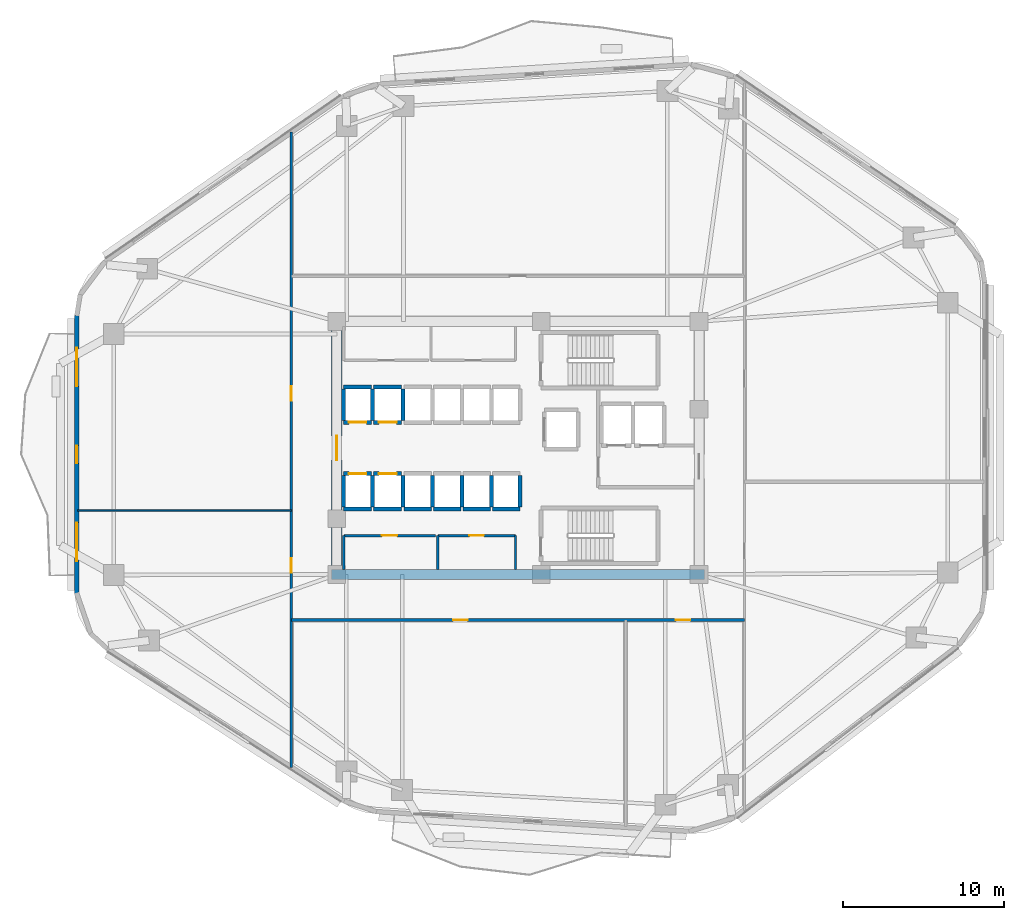
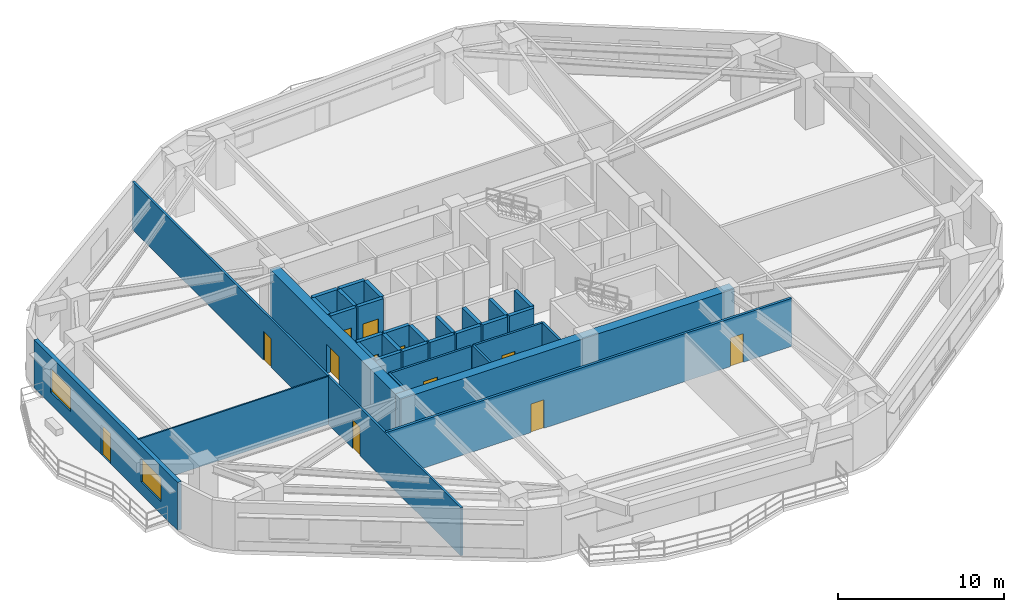
# One storey, part 3 of 9: 33 walls, 12 doors, 2 windows, 14 openings.
"""IFC4 building model written with IfcOpenShell, lengths in metres."""

from ifc_helpers import new_model, si_unit, direction, frame, frame_2d, origin, place, context, subcontext, project, spatial, rectangle, extrude, material, layer, layer_set, type_object, element, fill, save


model = new_model("IFC4")

# Units and contexts
model_context = context("Model", 3, precision=1e-05, world=origin(), true_north=direction((0.0, 1.0)))
body_context = subcontext(model_context, "Body", "Model", "MODEL_VIEW")
ifc_project = project(units=[si_unit("LENGTHUNIT", "METRE"), si_unit("AREAUNIT", "SQUARE_METRE"), si_unit("VOLUMEUNIT", "CUBIC_METRE"), si_unit("PLANEANGLEUNIT", "RADIAN"), si_unit("MASSUNIT", "GRAM", prefix="KILO")], contexts=[model_context])

# Site, building, storey
site_placement = place(None, origin())
site = spatial("IfcSite", under=ifc_project, at=site_placement, CompositionType="ELEMENT")
building_placement = place(site_placement, origin())
building = spatial("IfcBuilding", under=site, at=building_placement, Name="Zulverin Broadcast Headquarters", CompositionType="ELEMENT")
storey_placement = place(building_placement, frame((0.0, 0.0, 74.39990234375)))
storey = spatial("IfcBuildingStorey", under=building, at=storey_placement, Name="L18", CompositionType="ELEMENT", Elevation=74.39990234375)

# Wall
ifc_material_1 = material(Name="Concrete C60/75", Category="concrete")
ifc_layer_1 = layer(ifc_material_1, 0.64990234375, Name="Concrete C60/75", Category="concrete")
ifc_layer_set_1 = layer_set([ifc_layer_1], Name="Concrete C60/75")
wall_type_1 = type_object("IfcWallType", Name="WL-CORE-650", PredefinedType="SHEAR", material=ifc_layer_set_1)
wall_1_placement = place(storey_placement, frame((25.39990234375, 17.324951171875, 0.0), z_axis=(0.0, 0.0, 1.0), x_axis=(1.0, 0.0, 0.0)))
element("IfcWall", 1, at=wall_1_placement, inside=storey, type_object=wall_type_1, Name="L18 Core South Shear Wall", PredefinedType="SHEAR", context=body_context, shape_type="SweptSolid", body=[
    extrude(rectangle(XDim=23.2001953125, YDim=0.64990234375, at=frame_2d((11.60009765625, 0.0))), origin(), (0.0, 0.0, 1.0), 3.525146484375),
])

# Wall, opening, door
wall_2_placement = place(storey_placement, frame((25.72509765625, 17.64990234375, 0.0), z_axis=(0.0, 0.0, 1.0), x_axis=(0.0, 1.0, 0.0)))
wall_2 = element("IfcWall", 2, at=wall_2_placement, inside=storey, type_object=wall_type_1, Name="L18 Core West Shear Wall", PredefinedType="SHEAR", context=body_context, shape_type="SweptSolid", body=[
    extrude(rectangle(XDim=15.10009765625, YDim=0.64990234375, at=frame_2d((7.550048828125, 0.0))), origin(), (0.0, 0.0, 1.0), 3.525146484375),
])
opening_1_placement = place(wall_2_placement, frame((6.800048828125, 0.0, 0.0)))
opening_1 = element("IfcOpeningElement", 3, at=opening_1_placement, cuts=wall_2, Name="Opening D-L18-CW1", PredefinedType="OPENING", context=body_context, shape_type="SweptSolid", body=[
    extrude(rectangle(XDim=1.5, YDim=2.14990234375, at=frame_2d((0.75, 1.074951171875))), frame((0.0, 0.3349609375, 0.0), z_axis=(0.0, -1.0, 0.0), x_axis=(1.0, 0.0, 0.0)), (0.0, 0.0, 1.0), 0.669921875),
])
ifc_material_2 = material(Name="Fire-rated glazed steel frame", Category="steel")
door_type_1 = type_object("IfcDoorType", Name="DR-COR-1500", OperationType="DOUBLE_DOOR_SINGLE_SWING", PredefinedType="DOOR", material=ifc_material_2)
door_1_placement = place(opening_1_placement, origin())
door_1 = element("IfcDoor", 4, at=door_1_placement, inside=storey, type_object=door_type_1, Name="L18 Central Lift Lobby West Portal Door", OperationType="DOUBLE_DOOR_SINGLE_SWING", OverallHeight=2.14990234375, OverallWidth=1.5, PredefinedType="DOOR", context=body_context, shape_type="SweptSolid", body=[
    extrude(rectangle(XDim=1.5, YDim=2.14990234375, at=frame_2d((0.75, 1.074951171875))), frame((0.0, 0.02490234375, 0.0), z_axis=(0.0, -1.0, 0.0), x_axis=(1.0, 0.0, 0.0)), (0.0, 0.0, 1.0), 0.050048828125),
])
fill(opening_1, door_1)

# Wall, openings, door, windows
ifc_material_3 = material(Name="Insulated pale-metal clad concrete spandrel C40/50", Category="concrete")
ifc_layer_2 = layer(ifc_material_3, 0.280029296875, Name="Insulated pale-metal clad concrete spandrel C40/50", Category="concrete")
ifc_layer_set_2 = layer_set([ifc_layer_2], Name="Insulated pale-metal clad concrete spandrel C40/50")
wall_type_2 = type_object("IfcWallType", Name="WL-EXT-280", PredefinedType="STANDARD", material=ifc_layer_set_2)
wall_3_placement = place(storey_placement, frame((9.5400390625, 33.4443359375, 0.0), z_axis=(0.0, 0.0, 1.0), x_axis=(0.0, -1.0, 0.0)))
wall_3 = element("IfcWall", 5, at=wall_3_placement, inside=storey, type_object=wall_type_2, Name="L18 Pale-Metal Clad Spandrel Wall 7", PredefinedType="STANDARD", context=body_context, shape_type="SweptSolid", body=[
    extrude(rectangle(XDim=17.30078125, YDim=0.280029296875, at=frame_2d((8.650390625, 0.0))), origin(), (0.0, 0.0, 1.0), 3.525146484375),
])
opening_2_placement = place(wall_3_placement, frame((8.100341796875, 0.0, 0.0)))
opening_2 = element("IfcOpeningElement", 6, at=opening_2_placement, cuts=wall_3, Name="Opening D-L18-TR7", PredefinedType="OPENING", context=body_context, shape_type="SweptSolid", body=[
    extrude(rectangle(XDim=1.10009765625, YDim=2.199951171875, at=frame_2d((0.550048828125, 1.10009765625))), frame((0.0, 0.14990234375, 0.0), z_axis=(0.0, -1.0, 0.0), x_axis=(1.0, 0.0, 0.0)), (0.0, 0.0, 1.0), 0.300048828125),
])
opening_3_placement = place(wall_3_placement, frame((2.016845703125, 0.0, 0.89990234375)))
opening_3 = element("IfcOpeningElement", 7, at=opening_3_placement, cuts=wall_3, Name="Opening W-L18-E71", PredefinedType="OPENING", context=body_context, shape_type="SweptSolid", body=[
    extrude(rectangle(XDim=2.39990234375, YDim=1.75, at=frame_2d((1.199951171875, 0.875))), frame((0.0, 0.14990234375, 0.0), z_axis=(0.0, -1.0, 0.0), x_axis=(1.0, 0.0, 0.0)), (0.0, 0.0, 1.0), 0.300048828125),
])
opening_4_placement = place(wall_3_placement, frame((12.884033203125, 0.0, 0.89990234375)))
opening_4 = element("IfcOpeningElement", 8, at=opening_4_placement, cuts=wall_3, Name="Opening W-L18-E72", PredefinedType="OPENING", context=body_context, shape_type="SweptSolid", body=[
    extrude(rectangle(XDim=2.39990234375, YDim=1.75, at=frame_2d((1.199951171875, 0.875))), frame((0.0, 0.14990234375, 0.0), z_axis=(0.0, -1.0, 0.0), x_axis=(1.0, 0.0, 0.0)), (0.0, 0.0, 1.0), 0.300048828125),
])
ifc_material_4 = material(Name="Thermally broken aluminium glazed", Category="aluminium")
door_type_2 = type_object("IfcDoorType", Name="DR-TERR-1100", OperationType="SINGLE_SWING_RIGHT", PredefinedType="DOOR", material=ifc_material_4)
door_2_placement = place(opening_2_placement, origin())
door_2 = element("IfcDoor", 9, at=door_2_placement, inside=storey, type_object=door_type_2, Name="L18 Planted Terrace Glazed Access Door 7", OperationType="SINGLE_SWING_RIGHT", OverallHeight=2.199951171875, OverallWidth=1.10009765625, PredefinedType="DOOR", context=body_context, shape_type="SweptSolid", body=[
    extrude(rectangle(XDim=1.10009765625, YDim=2.199951171875, at=frame_2d((0.550048828125, 1.10009765625))), frame((0.0, 0.02490234375, 0.0), z_axis=(0.0, -1.0, 0.0), x_axis=(1.0, 0.0, 0.0)), (0.0, 0.0, 1.0), 0.050048828125),
])
fill(opening_2, door_2)
ifc_material_5 = material(Name="Pale anodized aluminium frame with solar-control low-E double glazing", Category="aluminium")
window_type = type_object("IfcWindowType", Name="WIN-RIB-2400", PartitioningType="SINGLE_PANEL", PredefinedType="WINDOW", material=ifc_material_5)
window_1_placement = place(opening_3_placement, origin())
window_1 = element("IfcWindow", 10, at=window_1_placement, inside=storey, type_object=window_type, Name="L18 Ribbon Glazing Window 7 1", OverallHeight=1.75, OverallWidth=2.39990234375, PartitioningType="SINGLE_PANEL", PredefinedType="WINDOW", context=body_context, shape_type="SweptSolid", body=[
    extrude(rectangle(XDim=2.39990234375, YDim=1.75, at=frame_2d((1.199951171875, 0.875))), frame((0.0, 0.030029296875, 0.0), z_axis=(0.0, -1.0, 0.0), x_axis=(1.0, 0.0, 0.0)), (0.0, 0.0, 1.0), 0.06005859375),
])
fill(opening_3, window_1)
window_2_placement = place(opening_4_placement, origin())
window_2 = element("IfcWindow", 11, at=window_2_placement, inside=storey, type_object=window_type, Name="L18 Ribbon Glazing Window 7 2", OverallHeight=1.75, OverallWidth=2.39990234375, PartitioningType="SINGLE_PANEL", PredefinedType="WINDOW", context=body_context, shape_type="SweptSolid", body=[
    extrude(rectangle(XDim=2.39990234375, YDim=1.75, at=frame_2d((1.199951171875, 0.875))), frame((0.0, 0.030029296875, 0.0), z_axis=(0.0, -1.0, 0.0), x_axis=(1.0, 0.0, 0.0)), (0.0, 0.0, 1.0), 0.06005859375),
])
fill(opening_4, window_2)

# Wall
ifc_material_6 = material(Name="Fire-rated acoustic laminated glass screen", Category="glass")
ifc_layer_3 = layer(ifc_material_6, 0.10009765625, Name="Fire-rated acoustic laminated glass screen", Category="glass")
ifc_layer_set_3 = layer_set([ifc_layer_3], Name="Fire-rated acoustic laminated glass screen")
wall_type_3 = type_object("IfcWallType", Name="WL-GLAZ-100", PredefinedType="PARTITIONING", material=ifc_layer_set_3)
wall_4_placement = place(storey_placement, frame((9.60498046875, 21.300048828125, 0.0), z_axis=(0.0, 0.0, 1.0), x_axis=(1.0, 0.0, 0.0)))
element("IfcWall", 12, at=wall_4_placement, inside=storey, type_object=wall_type_3, Name="L18 Room Partition Wall RP-05", PredefinedType="PARTITIONING", context=body_context, shape_type="SweptSolid", body=[
    extrude(rectangle(XDim=13.294921875, YDim=0.10009765625, at=frame_2d((6.6474609375, 0.0))), origin(), (0.0, 0.0, 1.0), 3.525146484375),
])

# Wall, opening, door
ifc_material_7 = material(Name="Fire-rated gypsum stud partition", Category="gypsum")
ifc_layer_4 = layer(ifc_material_7, 0.14990234375, Name="Fire-rated gypsum stud partition", Category="gypsum")
ifc_layer_set_4 = layer_set([ifc_layer_4], Name="Fire-rated gypsum stud partition")
wall_type_4 = type_object("IfcWallType", Name="WL-PART-150", PredefinedType="PARTITIONING", material=ifc_layer_set_4)
wall_5_placement = place(storey_placement, frame((26.169921875, 19.75, 0.0), z_axis=(0.0, 0.0, 1.0), x_axis=(1.0, 0.0, 0.0)))
wall_5 = element("IfcWall", 13, at=wall_5_placement, inside=storey, type_object=wall_type_4, Name="L18 Core Female WC Front Wall", PredefinedType="PARTITIONING", context=body_context, shape_type="SweptSolid", body=[
    extrude(rectangle(XDim=5.690185546875, YDim=0.14990234375, at=frame_2d((2.84521484375, 0.0))), origin(), (0.0, 0.0, 1.0), 3.525146484375),
])
opening_5_placement = place(wall_5_placement, frame((2.3701171875, 0.0, 0.0)))
opening_5 = element("IfcOpeningElement", 14, at=opening_5_placement, cuts=wall_5, Name="Opening D-L18-SC1", PredefinedType="OPENING", context=body_context, shape_type="SweptSolid", body=[
    extrude(rectangle(XDim=0.949951171875, YDim=2.10009765625, at=frame_2d((0.47509765625, 1.050048828125))), frame((0.0, 0.0849609375, 0.0), z_axis=(0.0, -1.0, 0.0), x_axis=(1.0, 0.0, 0.0)), (0.0, 0.0, 1.0), 0.169921875),
])
ifc_material_8 = material(Name="Fire-rated moisture-resistant laminate leaf", Category="wood")
door_type_3 = type_object("IfcDoorType", Name="DR-WC-950", OperationType="SINGLE_SWING_LEFT", PredefinedType="DOOR", material=ifc_material_8)
door_3_placement = place(opening_5_placement, origin())
door_3 = element("IfcDoor", 15, at=door_3_placement, inside=storey, type_object=door_type_3, Name="L18 Female WC Door", OperationType="SINGLE_SWING_LEFT", OverallHeight=2.10009765625, OverallWidth=0.949951171875, PredefinedType="DOOR", context=body_context, shape_type="SweptSolid", body=[
    extrude(rectangle(XDim=0.949951171875, YDim=2.10009765625, at=frame_2d((0.47509765625, 1.050048828125))), frame((0.0, 0.02490234375, 0.0), z_axis=(0.0, -1.0, 0.0), x_axis=(1.0, 0.0, 0.0)), (0.0, 0.0, 1.0), 0.050048828125),
])
fill(opening_5, door_3)

# Wall
wall_6_placement = place(storey_placement, frame((26.169921875, 17.64990234375, 0.0), z_axis=(0.0, 0.0, 1.0), x_axis=(0.0, 1.0, 0.0)))
element("IfcWall", 16, at=wall_6_placement, inside=storey, type_object=wall_type_4, Name="L18 Core Female WC West Wall", PredefinedType="PARTITIONING", context=body_context, shape_type="SweptSolid", body=[
    extrude(rectangle(XDim=2.10009765625, YDim=0.14990234375, at=frame_2d((1.050048828125, 0.0))), origin(), (0.0, 0.0, 1.0), 3.525146484375),
])

# Wall, opening, door
wall_7_placement = place(storey_placement, frame((32.02001953125, 19.75, 0.0), z_axis=(0.0, 0.0, 1.0), x_axis=(1.0, 0.0, 0.0)))
wall_7 = element("IfcWall", 17, at=wall_7_placement, inside=storey, type_object=wall_type_4, Name="L18 Core Cleaner Store & Telecoms Riser Front Wall", PredefinedType="PARTITIONING", context=body_context, shape_type="SweptSolid", body=[
    extrude(rectangle(XDim=4.830078125, YDim=0.14990234375, at=frame_2d((2.4150390625, 0.0))), origin(), (0.0, 0.0, 1.0), 3.525146484375),
])
opening_6_placement = place(wall_7_placement, frame((1.965087890625, 0.0, 0.0)))
opening_6 = element("IfcOpeningElement", 18, at=opening_6_placement, cuts=wall_7, Name="Opening D-L18-SC2", PredefinedType="OPENING", context=body_context, shape_type="SweptSolid", body=[
    extrude(rectangle(XDim=0.89990234375, YDim=2.10009765625, at=frame_2d((0.449951171875, 1.050048828125))), frame((0.0, 0.0849609375, 0.0), z_axis=(0.0, -1.0, 0.0), x_axis=(1.0, 0.0, 0.0)), (0.0, 0.0, 1.0), 0.169921875),
])
ifc_material_9 = material(Name="Powder-coated steel access leaf", Category="steel")
door_type_4 = type_object("IfcDoorType", Name="DR-RISER-900", OperationType="SINGLE_SWING_LEFT", PredefinedType="DOOR", material=ifc_material_9)
door_4_placement = place(opening_6_placement, origin())
door_4 = element("IfcDoor", 19, at=door_4_placement, inside=storey, type_object=door_type_4, Name="L18 Cleaner Store & Telecoms Riser Door", OperationType="SINGLE_SWING_RIGHT", OverallHeight=2.10009765625, OverallWidth=0.89990234375, PredefinedType="DOOR", context=body_context, shape_type="SweptSolid", body=[
    extrude(rectangle(XDim=0.89990234375, YDim=2.10009765625, at=frame_2d((0.449951171875, 1.050048828125))), frame((0.0, 0.02490234375, 0.0), z_axis=(0.0, -1.0, 0.0), x_axis=(1.0, 0.0, 0.0)), (0.0, 0.0, 1.0), 0.050048828125),
])
fill(opening_6, door_4)

# Walls
for number, where, z_axis, x_axis, name in (
    (20, (32.02001953125, 17.64990234375, 0.0), (0.0, 0.0, 1.0), (0.0, 1.0, 0.0), "L18 Core Cleaner Store & Telecoms Riser West Wall"),
    (21, (36.85009765625, 17.64990234375, 0.0), (0.0, 0.0, 1.0), (0.0, 1.0, 0.0), "L18 Core Cleaner Store & Telecoms Riser East Wall"),
):
    element("IfcWall", number, at=place(storey_placement, frame(where, z_axis=z_axis, x_axis=x_axis)), inside=storey, type_object=wall_type_4, Name=name, PredefinedType="PARTITIONING", context=body_context, shape_type="SweptSolid", body=[
        extrude(rectangle(XDim=2.10009765625, YDim=0.14990234375, at=frame_2d((1.050048828125, 0.0))), origin(), (0.0, 0.0, 1.0), 3.525146484375),
    ])

# Wall, openings, doors
wall_8_placement = place(storey_placement, frame((22.89990234375, 5.315673828125, 0.0), z_axis=(0.0, 0.0, 1.0), x_axis=(0.0, 1.0, 0.0)))
wall_8 = element("IfcWall", 22, at=wall_8_placement, inside=storey, type_object=wall_type_4, Name="L18 Gallery Partition Wall CG-03", PredefinedType="PARTITIONING", context=body_context, shape_type="SweptSolid", body=[
    extrude(rectangle(XDim=39.5546875, YDim=0.14990234375, at=frame_2d((19.77734375, 0.0))), origin(), (0.0, 0.0, 1.0), 3.525146484375),
])
opening_7_placement = place(wall_8_placement, frame((12.134521484375, 0.0, 0.0)))
opening_7 = element("IfcOpeningElement", 23, at=opening_7_placement, cuts=wall_8, Name="Opening D-L18-04", PredefinedType="OPENING", context=body_context, shape_type="SweptSolid", body=[
    extrude(rectangle(XDim=0.89990234375, YDim=2.10009765625, at=frame_2d((0.449951171875, 1.050048828125))), frame((0.0, 0.0849609375, 0.0), z_axis=(0.0, -1.0, 0.0), x_axis=(1.0, 0.0, 0.0)), (0.0, 0.0, 1.0), 0.169921875),
])
opening_8_placement = place(wall_8_placement, frame((22.83447265625, 0.0, 0.0)))
opening_8 = element("IfcOpeningElement", 24, at=opening_8_placement, cuts=wall_8, Name="Opening D-L18-05", PredefinedType="OPENING", context=body_context, shape_type="SweptSolid", body=[
    extrude(rectangle(XDim=0.89990234375, YDim=2.10009765625, at=frame_2d((0.449951171875, 1.050048828125))), frame((0.0, 0.0849609375, 0.0), z_axis=(0.0, -1.0, 0.0), x_axis=(1.0, 0.0, 0.0)), (0.0, 0.0, 1.0), 0.169921875),
])
ifc_material_10 = material(Name="Fire-rated hardwood veneer timber leaf", Category="wood")
door_type_5 = type_object("IfcDoorType", Name="DR-ROOM-900", OperationType="SINGLE_SWING_RIGHT", PredefinedType="DOOR", material=ifc_material_10)
door_5_placement = place(opening_7_placement, origin())
door_5 = element("IfcDoor", 25, at=door_5_placement, inside=storey, type_object=door_type_5, Name="L18 Broadcast Editing Suite Door", OperationType="SINGLE_SWING_RIGHT", OverallHeight=2.10009765625, OverallWidth=0.89990234375, PredefinedType="DOOR", context=body_context, shape_type="SweptSolid", body=[
    extrude(rectangle(XDim=0.89990234375, YDim=2.10009765625, at=frame_2d((0.449951171875, 1.050048828125))), frame((0.0, 0.02490234375, 0.0), z_axis=(0.0, -1.0, 0.0), x_axis=(1.0, 0.0, 0.0)), (0.0, 0.0, 1.0), 0.050048828125),
])
fill(opening_7, door_5)
door_6_placement = place(opening_8_placement, origin())
door_6 = element("IfcDoor", 26, at=door_6_placement, inside=storey, type_object=door_type_5, Name="L18 Refreshment Pantry Door", OperationType="SINGLE_SWING_LEFT", OverallHeight=2.10009765625, OverallWidth=0.89990234375, PredefinedType="DOOR", context=body_context, shape_type="SweptSolid", body=[
    extrude(rectangle(XDim=0.89990234375, YDim=2.10009765625, at=frame_2d((0.449951171875, 1.050048828125))), frame((0.0, 0.02490234375, 0.0), z_axis=(0.0, -1.0, 0.0), x_axis=(1.0, 0.0, 0.0)), (0.0, 0.0, 1.0), 0.050048828125),
])
fill(opening_8, door_6)

ifc_material_11 = material(Name="Fire-rated acoustic stud wall", Category="gypsum")
ifc_layer_5 = layer(ifc_material_11, 0.175048828125, Name="Fire-rated acoustic stud wall", Category="gypsum")
ifc_layer_set_5 = layer_set([ifc_layer_5], Name="Fire-rated acoustic stud wall")
wall_type_5 = type_object("IfcWallType", Name="WL-PART-175", PredefinedType="PARTITIONING", material=ifc_layer_set_5)
wall_9_placement = place(storey_placement, frame((22.89990234375, 14.5, 0.0), z_axis=(0.0, 0.0, 1.0), x_axis=(1.0, 0.0, 0.0)))
wall_9 = element("IfcWall", 27, at=wall_9_placement, inside=storey, type_object=wall_type_5, Name="L18 Gallery Partition Wall CG-04", PredefinedType="PARTITIONING", context=body_context, shape_type="SweptSolid", body=[
    extrude(rectangle(XDim=28.2001953125, YDim=0.175048828125, at=frame_2d((14.10009765625, 0.0))), origin(), (0.0, 0.0, 1.0), 3.525146484375),
])
opening_9_placement = place(wall_9_placement, frame((10.070068359375, 0.0, 0.0)))
opening_9 = element("IfcOpeningElement", 28, at=opening_9_placement, cuts=wall_9, Name="Opening D-L18-02", PredefinedType="OPENING", context=body_context, shape_type="SweptSolid", body=[
    extrude(rectangle(XDim=0.89990234375, YDim=2.10009765625, at=frame_2d((0.449951171875, 1.050048828125))), frame((0.0, 0.097412109375, 0.0), z_axis=(0.0, -1.0, 0.0), x_axis=(1.0, 0.0, 0.0)), (0.0, 0.0, 1.0), 0.195068359375),
])
opening_10_placement = place(wall_9_placement, frame((23.929931640625, 0.0, 0.0)))
opening_10 = element("IfcOpeningElement", 29, at=opening_10_placement, cuts=wall_9, Name="Opening D-L18-03", PredefinedType="OPENING", context=body_context, shape_type="SweptSolid", body=[
    extrude(rectangle(XDim=0.89990234375, YDim=2.10009765625, at=frame_2d((0.449951171875, 1.050048828125))), frame((0.0, 0.097412109375, 0.0), z_axis=(0.0, -1.0, 0.0), x_axis=(1.0, 0.0, 0.0)), (0.0, 0.0, 1.0), 0.195068359375),
])
door_7_placement = place(opening_9_placement, origin())
door_7 = element("IfcDoor", 30, at=door_7_placement, inside=storey, type_object=door_type_5, Name="L18 Production Meeting Room Door", OperationType="SINGLE_SWING_RIGHT", OverallHeight=2.10009765625, OverallWidth=0.89990234375, PredefinedType="DOOR", context=body_context, shape_type="SweptSolid", body=[
    extrude(rectangle(XDim=0.89990234375, YDim=2.10009765625, at=frame_2d((0.449951171875, 1.050048828125))), frame((0.0, 0.02490234375, 0.0), z_axis=(0.0, -1.0, 0.0), x_axis=(1.0, 0.0, 0.0)), (0.0, 0.0, 1.0), 0.050048828125),
])
fill(opening_9, door_7)
door_8_placement = place(opening_10_placement, origin())
door_8 = element("IfcDoor", 31, at=door_8_placement, inside=storey, type_object=door_type_5, Name="L18 Executive Boardroom Door", OperationType="SINGLE_SWING_LEFT", OverallHeight=2.10009765625, OverallWidth=0.89990234375, PredefinedType="DOOR", context=body_context, shape_type="SweptSolid", body=[
    extrude(rectangle(XDim=0.89990234375, YDim=2.10009765625, at=frame_2d((0.449951171875, 1.050048828125))), frame((0.0, 0.02490234375, 0.0), z_axis=(0.0, -1.0, 0.0), x_axis=(1.0, 0.0, 0.0)), (0.0, 0.0, 1.0), 0.050048828125),
])
fill(opening_10, door_8)

# Wall, opening, door
ifc_material_12 = material(Name="Concrete C50/60", Category="concrete")
ifc_layer_6 = layer(ifc_material_12, 0.25, Name="Concrete C50/60", Category="concrete")
ifc_layer_set_6 = layer_set([ifc_layer_6], Name="Concrete C50/60")
wall_type_6 = type_object("IfcWallType", Name="WL-SHAFT-250", PredefinedType="SHEAR", material=ifc_layer_set_6)
wall_10_placement = place(storey_placement, frame((26.14990234375, 26.800048828125, 0.0), z_axis=(0.0, 0.0, 1.0), x_axis=(1.0, 0.0, 0.0)))
wall_10 = element("IfcWall", 32, at=wall_10_placement, inside=storey, type_object=wall_type_6, Name="L18 Lift PL-L1 Shaft Wall S", PredefinedType="SHEAR", context=body_context, shape_type="SweptSolid", body=[
    extrude(rectangle(XDim=1.75, YDim=0.25, at=frame_2d((0.875, 0.0))), origin(), (0.0, 0.0, 1.0), 3.525146484375),
])
opening_11_placement = place(wall_10_placement, frame((0.324951171875, 0.0, 0.0)))
opening_11 = element("IfcOpeningElement", 33, at=opening_11_placement, cuts=wall_10, Name="Opening LD-PL-L1-L18", PredefinedType="OPENING", context=body_context, shape_type="SweptSolid", body=[
    extrude(rectangle(XDim=1.10009765625, YDim=2.14990234375, at=frame_2d((0.550048828125, 1.074951171875))), frame((0.0, 0.135009765625, 0.0), z_axis=(0.0, -1.0, 0.0), x_axis=(1.0, 0.0, 0.0)), (0.0, 0.0, 1.0), 0.27001953125),
])
ifc_material_13 = material(Name="Brushed stainless steel landing", Category="steel")
door_type_6 = type_object("IfcDoorType", Name="LD-PASS-1100", OperationType="DOUBLE_DOOR_SLIDING", PredefinedType="DOOR", material=ifc_material_13)
door_9_placement = place(opening_11_placement, origin())
door_9 = element("IfcDoor", 34, at=door_9_placement, inside=storey, type_object=door_type_6, Name="L18 Lift PL-L1 Sliding Landing Door", OperationType="DOUBLE_DOOR_SLIDING", OverallHeight=2.14990234375, OverallWidth=1.10009765625, PredefinedType="DOOR", context=body_context, shape_type="SweptSolid", body=[
    extrude(rectangle(XDim=1.10009765625, YDim=2.14990234375, at=frame_2d((0.550048828125, 1.074951171875))), frame((0.0, 0.02490234375, 0.0), z_axis=(0.0, -1.0, 0.0), x_axis=(1.0, 0.0, 0.0)), (0.0, 0.0, 1.0), 0.050048828125),
])
fill(opening_11, door_9)

# Walls
wall_11_placement = place(storey_placement, frame((26.14990234375, 29.0, 0.0), z_axis=(0.0, 0.0, 1.0), x_axis=(1.0, 0.0, 0.0)))
element("IfcWall", 35, at=wall_11_placement, inside=storey, type_object=wall_type_6, Name="L18 Lift PL-L1 Shaft Wall N", PredefinedType="SHEAR", context=body_context, shape_type="SweptSolid", body=[
    extrude(rectangle(XDim=1.75, YDim=0.25, at=frame_2d((0.875, 0.0))), origin(), (0.0, 0.0, 1.0), 3.525146484375),
])
for number, where, z_axis, x_axis, name in (
    (36, (26.14990234375, 26.919921875, 0.0), (0.0, 0.0, 1.0), (0.0, 1.0, 0.0), "L18 Lift PL-L1 Shaft Wall W"),
    (37, (27.9599609375, 26.919921875, 0.0), (0.0, 0.0, 1.0), (0.0, 1.0, 0.0), "L18 Lift PL-L1 Shaft Wall E"),
):
    element("IfcWall", number, at=place(storey_placement, frame(where, z_axis=z_axis, x_axis=x_axis)), inside=storey, type_object=wall_type_6, Name=name, PredefinedType="SHEAR", context=body_context, shape_type="SweptSolid", body=[
        extrude(rectangle(XDim=1.9599609375, YDim=0.25, at=frame_2d((0.97998046875, 0.0))), origin(), (0.0, 0.0, 1.0), 3.525146484375),
    ])

# Wall, opening, door
wall_12_placement = place(storey_placement, frame((28.02001953125, 26.800048828125, 0.0), z_axis=(0.0, 0.0, 1.0), x_axis=(1.0, 0.0, 0.0)))
wall_12 = element("IfcWall", 38, at=wall_12_placement, inside=storey, type_object=wall_type_6, Name="L18 Lift PL-L2 Shaft Wall S", PredefinedType="SHEAR", context=body_context, shape_type="SweptSolid", body=[
    extrude(rectangle(XDim=1.75, YDim=0.25, at=frame_2d((0.875, 0.0))), origin(), (0.0, 0.0, 1.0), 3.525146484375),
])
opening_12_placement = place(wall_12_placement, frame((0.324951171875, 0.0, 0.0)))
opening_12 = element("IfcOpeningElement", 39, at=opening_12_placement, cuts=wall_12, Name="Opening LD-PL-L2-L18", PredefinedType="OPENING", context=body_context, shape_type="SweptSolid", body=[
    extrude(rectangle(XDim=1.10009765625, YDim=2.14990234375, at=frame_2d((0.550048828125, 1.074951171875))), frame((0.0, 0.135009765625, 0.0), z_axis=(0.0, -1.0, 0.0), x_axis=(1.0, 0.0, 0.0)), (0.0, 0.0, 1.0), 0.27001953125),
])
door_10_placement = place(opening_12_placement, origin())
door_10 = element("IfcDoor", 40, at=door_10_placement, inside=storey, type_object=door_type_6, Name="L18 Lift PL-L2 Sliding Landing Door", OperationType="DOUBLE_DOOR_SLIDING", OverallHeight=2.14990234375, OverallWidth=1.10009765625, PredefinedType="DOOR", context=body_context, shape_type="SweptSolid", body=[
    extrude(rectangle(XDim=1.10009765625, YDim=2.14990234375, at=frame_2d((0.550048828125, 1.074951171875))), frame((0.0, 0.02490234375, 0.0), z_axis=(0.0, -1.0, 0.0), x_axis=(1.0, 0.0, 0.0)), (0.0, 0.0, 1.0), 0.050048828125),
])
fill(opening_12, door_10)

# Walls
wall_13_placement = place(storey_placement, frame((28.02001953125, 29.0, 0.0), z_axis=(0.0, 0.0, 1.0), x_axis=(1.0, 0.0, 0.0)))
element("IfcWall", 41, at=wall_13_placement, inside=storey, type_object=wall_type_6, Name="L18 Lift PL-L2 Shaft Wall N", PredefinedType="SHEAR", context=body_context, shape_type="SweptSolid", body=[
    extrude(rectangle(XDim=1.75, YDim=0.25, at=frame_2d((0.875, 0.0))), origin(), (0.0, 0.0, 1.0), 3.525146484375),
])
wall_14_placement = place(storey_placement, frame((29.8349609375, 26.919921875, 0.0), z_axis=(0.0, 0.0, 1.0), x_axis=(0.0, 1.0, 0.0)))
element("IfcWall", 42, at=wall_14_placement, inside=storey, type_object=wall_type_6, Name="L18 Lift PL-L2 Shaft Wall E", PredefinedType="SHEAR", context=body_context, shape_type="SweptSolid", body=[
    extrude(rectangle(XDim=1.9599609375, YDim=0.25, at=frame_2d((0.97998046875, 0.0))), origin(), (0.0, 0.0, 1.0), 3.525146484375),
])
wall_15_placement = place(storey_placement, frame((26.14990234375, 21.39990234375, 0.0), z_axis=(0.0, 0.0, 1.0), x_axis=(1.0, 0.0, 0.0)))
element("IfcWall", 43, at=wall_15_placement, inside=storey, type_object=wall_type_6, Name="L18 Lift PL-L3 Shaft Wall S", PredefinedType="SHEAR", context=body_context, shape_type="SweptSolid", body=[
    extrude(rectangle(XDim=1.75, YDim=0.25, at=frame_2d((0.875, 0.0))), origin(), (0.0, 0.0, 1.0), 3.525146484375),
])

# Wall, opening, door
wall_16_placement = place(storey_placement, frame((26.14990234375, 23.60009765625, 0.0), z_axis=(0.0, 0.0, 1.0), x_axis=(1.0, 0.0, 0.0)))
wall_16 = element("IfcWall", 44, at=wall_16_placement, inside=storey, type_object=wall_type_6, Name="L18 Lift PL-L3 Shaft Wall N", PredefinedType="SHEAR", context=body_context, shape_type="SweptSolid", body=[
    extrude(rectangle(XDim=1.75, YDim=0.25, at=frame_2d((0.875, 0.0))), origin(), (0.0, 0.0, 1.0), 3.525146484375),
])
opening_13_placement = place(wall_16_placement, frame((0.324951171875, 0.0, 0.0)))
opening_13 = element("IfcOpeningElement", 45, at=opening_13_placement, cuts=wall_16, Name="Opening LD-PL-L3-L18", PredefinedType="OPENING", context=body_context, shape_type="SweptSolid", body=[
    extrude(rectangle(XDim=1.10009765625, YDim=2.14990234375, at=frame_2d((0.550048828125, 1.074951171875))), frame((0.0, 0.135009765625, 0.0), z_axis=(0.0, -1.0, 0.0), x_axis=(1.0, 0.0, 0.0)), (0.0, 0.0, 1.0), 0.27001953125),
])
door_11_placement = place(opening_13_placement, origin())
door_11 = element("IfcDoor", 46, at=door_11_placement, inside=storey, type_object=door_type_6, Name="L18 Lift PL-L3 Sliding Landing Door", OperationType="DOUBLE_DOOR_SLIDING", OverallHeight=2.14990234375, OverallWidth=1.10009765625, PredefinedType="DOOR", context=body_context, shape_type="SweptSolid", body=[
    extrude(rectangle(XDim=1.10009765625, YDim=2.14990234375, at=frame_2d((0.550048828125, 1.074951171875))), frame((0.0, 0.02490234375, 0.0), z_axis=(0.0, -1.0, 0.0), x_axis=(1.0, 0.0, 0.0)), (0.0, 0.0, 1.0), 0.050048828125),
])
fill(opening_13, door_11)

# Walls
for number, where, z_axis, x_axis, name in (
    (47, (26.14990234375, 21.52001953125, 0.0), (0.0, 0.0, 1.0), (0.0, 1.0, 0.0), "L18 Lift PL-L3 Shaft Wall W"),
    (48, (27.9599609375, 21.52001953125, 0.0), (0.0, 0.0, 1.0), (0.0, 1.0, 0.0), "L18 Lift PL-L3 Shaft Wall E"),
):
    element("IfcWall", number, at=place(storey_placement, frame(where, z_axis=z_axis, x_axis=x_axis)), inside=storey, type_object=wall_type_6, Name=name, PredefinedType="SHEAR", context=body_context, shape_type="SweptSolid", body=[
        extrude(rectangle(XDim=1.9599609375, YDim=0.25, at=frame_2d((0.97998046875, 0.0))), origin(), (0.0, 0.0, 1.0), 3.525146484375),
    ])
wall_17_placement = place(storey_placement, frame((28.02001953125, 21.39990234375, 0.0), z_axis=(0.0, 0.0, 1.0), x_axis=(1.0, 0.0, 0.0)))
element("IfcWall", 49, at=wall_17_placement, inside=storey, type_object=wall_type_6, Name="L18 Lift PL-L4 Shaft Wall S", PredefinedType="SHEAR", context=body_context, shape_type="SweptSolid", body=[
    extrude(rectangle(XDim=1.75, YDim=0.25, at=frame_2d((0.875, 0.0))), origin(), (0.0, 0.0, 1.0), 3.525146484375),
])

# Wall, opening, door
wall_18_placement = place(storey_placement, frame((28.02001953125, 23.60009765625, 0.0), z_axis=(0.0, 0.0, 1.0), x_axis=(1.0, 0.0, 0.0)))
wall_18 = element("IfcWall", 50, at=wall_18_placement, inside=storey, type_object=wall_type_6, Name="L18 Lift PL-L4 Shaft Wall N", PredefinedType="SHEAR", context=body_context, shape_type="SweptSolid", body=[
    extrude(rectangle(XDim=1.75, YDim=0.25, at=frame_2d((0.875, 0.0))), origin(), (0.0, 0.0, 1.0), 3.525146484375),
])
opening_14_placement = place(wall_18_placement, frame((0.324951171875, 0.0, 0.0)))
opening_14 = element("IfcOpeningElement", 51, at=opening_14_placement, cuts=wall_18, Name="Opening LD-PL-L4-L18", PredefinedType="OPENING", context=body_context, shape_type="SweptSolid", body=[
    extrude(rectangle(XDim=1.10009765625, YDim=2.14990234375, at=frame_2d((0.550048828125, 1.074951171875))), frame((0.0, 0.135009765625, 0.0), z_axis=(0.0, -1.0, 0.0), x_axis=(1.0, 0.0, 0.0)), (0.0, 0.0, 1.0), 0.27001953125),
])
door_12_placement = place(opening_14_placement, origin())
door_12 = element("IfcDoor", 52, at=door_12_placement, inside=storey, type_object=door_type_6, Name="L18 Lift PL-L4 Sliding Landing Door", OperationType="DOUBLE_DOOR_SLIDING", OverallHeight=2.14990234375, OverallWidth=1.10009765625, PredefinedType="DOOR", context=body_context, shape_type="SweptSolid", body=[
    extrude(rectangle(XDim=1.10009765625, YDim=2.14990234375, at=frame_2d((0.550048828125, 1.074951171875))), frame((0.0, 0.02490234375, 0.0), z_axis=(0.0, -1.0, 0.0), x_axis=(1.0, 0.0, 0.0)), (0.0, 0.0, 1.0), 0.050048828125),
])
fill(opening_14, door_12)

# Walls
wall_19_placement = place(storey_placement, frame((29.8349609375, 21.52001953125, 0.0), z_axis=(0.0, 0.0, 1.0), x_axis=(0.0, 1.0, 0.0)))
element("IfcWall", 53, at=wall_19_placement, inside=storey, type_object=wall_type_6, Name="L18 Lift PL-L4 Shaft Wall E", PredefinedType="SHEAR", context=body_context, shape_type="SweptSolid", body=[
    extrude(rectangle(XDim=1.9599609375, YDim=0.25, at=frame_2d((0.97998046875, 0.0))), origin(), (0.0, 0.0, 1.0), 3.525146484375),
])
wall_20_placement = place(storey_placement, frame((29.89990234375, 21.39990234375, 0.0), z_axis=(0.0, 0.0, 1.0), x_axis=(1.0, 0.0, 0.0)))
element("IfcWall", 54, at=wall_20_placement, inside=storey, type_object=wall_type_6, Name="L18 Lift PL-M1 Shaft Wall S", PredefinedType="SHEAR", context=body_context, shape_type="SweptSolid", body=[
    extrude(rectangle(XDim=1.72021484375, YDim=0.25, at=frame_2d((0.860107421875, 0.0))), origin(), (0.0, 0.0, 1.0), 3.525146484375),
])
wall_21_placement = place(storey_placement, frame((31.679931640625, 21.52001953125, 0.0), z_axis=(0.0, 0.0, 1.0), x_axis=(0.0, 1.0, 0.0)))
element("IfcWall", 55, at=wall_21_placement, inside=storey, type_object=wall_type_6, Name="L18 Lift PL-M1 Shaft Wall E", PredefinedType="SHEAR", context=body_context, shape_type="SweptSolid", body=[
    extrude(rectangle(XDim=1.9599609375, YDim=0.25, at=frame_2d((0.97998046875, 0.0))), origin(), (0.0, 0.0, 1.0), 3.525146484375),
])
wall_22_placement = place(storey_placement, frame((31.739990234375, 21.39990234375, 0.0), z_axis=(0.0, 0.0, 1.0), x_axis=(1.0, 0.0, 0.0)))
element("IfcWall", 56, at=wall_22_placement, inside=storey, type_object=wall_type_6, Name="L18 Lift PL-M2 Shaft Wall S", PredefinedType="SHEAR", context=body_context, shape_type="SweptSolid", body=[
    extrude(rectangle(XDim=1.719970703125, YDim=0.25, at=frame_2d((0.85986328125, 0.0))), origin(), (0.0, 0.0, 1.0), 3.525146484375),
])
wall_23_placement = place(storey_placement, frame((33.52001953125, 21.52001953125, 0.0), z_axis=(0.0, 0.0, 1.0), x_axis=(0.0, 1.0, 0.0)))
element("IfcWall", 57, at=wall_23_placement, inside=storey, type_object=wall_type_6, Name="L18 Lift PL-M2 Shaft Wall E", PredefinedType="SHEAR", context=body_context, shape_type="SweptSolid", body=[
    extrude(rectangle(XDim=1.9599609375, YDim=0.25, at=frame_2d((0.97998046875, 0.0))), origin(), (0.0, 0.0, 1.0), 3.525146484375),
])
wall_24_placement = place(storey_placement, frame((33.580078125, 21.39990234375, 0.0), z_axis=(0.0, 0.0, 1.0), x_axis=(1.0, 0.0, 0.0)))
element("IfcWall", 58, at=wall_24_placement, inside=storey, type_object=wall_type_6, Name="L18 Lift PL-M3 Shaft Wall S", PredefinedType="SHEAR", context=body_context, shape_type="SweptSolid", body=[
    extrude(rectangle(XDim=1.719970703125, YDim=0.25, at=frame_2d((0.85986328125, 0.0))), origin(), (0.0, 0.0, 1.0), 3.525146484375),
])
wall_25_placement = place(storey_placement, frame((35.360107421875, 21.52001953125, 0.0), z_axis=(0.0, 0.0, 1.0), x_axis=(0.0, 1.0, 0.0)))
element("IfcWall", 59, at=wall_25_placement, inside=storey, type_object=wall_type_6, Name="L18 Lift PL-M3 Shaft Wall E", PredefinedType="SHEAR", context=body_context, shape_type="SweptSolid", body=[
    extrude(rectangle(XDim=1.9599609375, YDim=0.25, at=frame_2d((0.97998046875, 0.0))), origin(), (0.0, 0.0, 1.0), 3.525146484375),
])
wall_26_placement = place(storey_placement, frame((35.419921875, 21.39990234375, 0.0), z_axis=(0.0, 0.0, 1.0), x_axis=(1.0, 0.0, 0.0)))
element("IfcWall", 60, at=wall_26_placement, inside=storey, type_object=wall_type_6, Name="L18 Lift PL-M4 Shaft Wall S", PredefinedType="SHEAR", context=body_context, shape_type="SweptSolid", body=[
    extrude(rectangle(XDim=1.719970703125, YDim=0.25, at=frame_2d((0.85986328125, 0.0))), origin(), (0.0, 0.0, 1.0), 3.525146484375),
])
wall_27_placement = place(storey_placement, frame((37.139892578125, 21.52001953125, 0.0), z_axis=(0.0, 0.0, 1.0), x_axis=(0.0, 1.0, 0.0)))
element("IfcWall", 61, at=wall_27_placement, inside=storey, type_object=wall_type_6, Name="L18 Lift PL-M4 Shaft Wall E", PredefinedType="SHEAR", context=body_context, shape_type="SweptSolid", body=[
    extrude(rectangle(XDim=1.9599609375, YDim=0.25, at=frame_2d((0.97998046875, 0.0))), origin(), (0.0, 0.0, 1.0), 3.525146484375),
])

save(model, "model.ifc")
